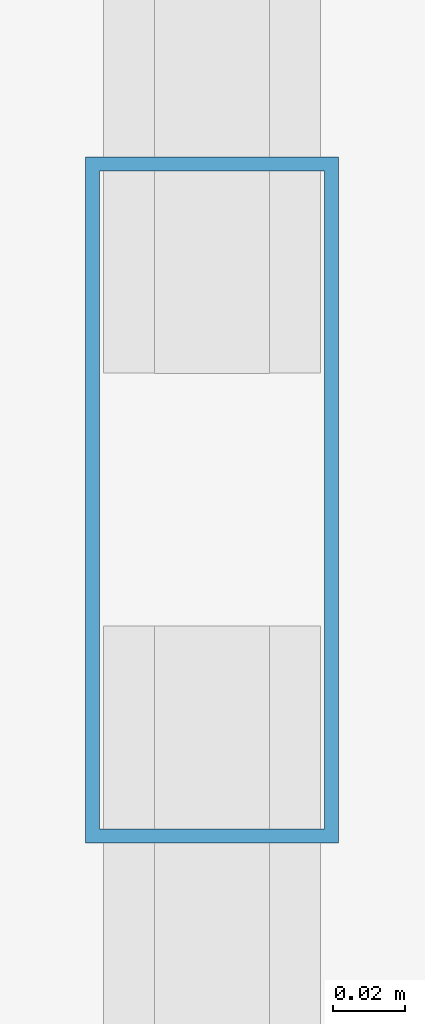
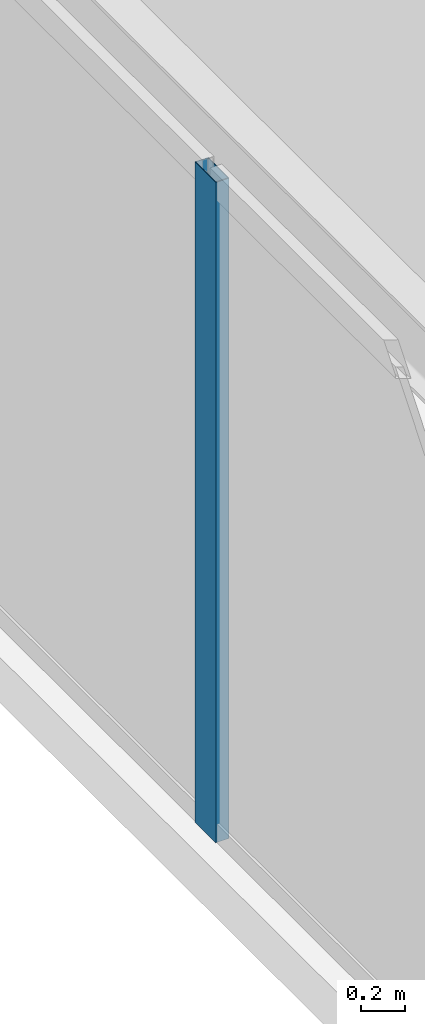
# One storey, part 10 of 34: 1 member, 1 element without a shape of its own.
"""IFC4 building model written with IfcOpenShell, lengths in metres."""

import ifcopenshell
import ifcopenshell.guid

model = None  # the IFC model being written
_history = None  # IfcOwnerHistory: only IFC2X3 demands one
_inside = {}  # id of a spatial element -> (the spatial element, [elements in it])
_under = {}  # id of a project, library or spatial element -> (it, [spatial elements below it])
_declared = {}  # id of a project -> (the project, [libraries it declares])
_typed = {}  # id of a type object -> (the type object, [elements of that type])
_made_of = {}  # id of a material, layer set ... -> (it, [elements and type objects made of it])


def new_model(schema):
    """Start an empty IFC model of exactly this schema.

    Asked for "IFC4X3", IfcOpenShell would pick the latest addendum, in which some entities
    have other attributes; the version numbers below select the first issue.
    IFC2X3 requires an IfcOwnerHistory on every rooted entity: one is made here for all.
    """
    global model, _history
    if schema == "IFC4X3":
        model = ifcopenshell.file(schema_version=(4, 3, 0, 0))
    else:
        model = ifcopenshell.file(schema=schema)
    _inside.clear()
    _under.clear()
    _declared.clear()
    _typed.clear()
    _made_of.clear()
    _history = None
    if model.schema == "IFC2X3":
        org = make("IfcOrganization", Name="unknown")
        user = make(
            "IfcPersonAndOrganization",
            ThePerson=make("IfcPerson", FamilyName="unknown"),
            TheOrganization=org,
        )
        app = make(
            "IfcApplication",
            ApplicationDeveloper=org,
            Version="unknown",
            ApplicationFullName="unknown",
            ApplicationIdentifier="unknown",
        )
        _history = make(
            "IfcOwnerHistory",
            OwningUser=user,
            OwningApplication=app,
            ChangeAction="ADDED",
            CreationDate=0,
        )
    return model


def make(cls, **values):
    """One entity of the class cls with the attributes given. An attribute that is None is left unset."""
    return model.create_entity(
        cls, **{name: value for name, value in values.items() if value is not None}
    )


def rooted(cls, **values):
    """An entity with a GlobalId (a new one), such as an element, a storey or a relation."""
    return make(cls, GlobalId=ifcopenshell.guid.new(), OwnerHistory=_history, **values)


def si_unit(unit_type, name, prefix=None):
    """IfcSIUnit, for example si_unit("LENGTHUNIT", "METRE", prefix="MILLI")."""
    return make("IfcSIUnit", UnitType=unit_type, Prefix=prefix, Name=name)


def assignment(units):
    """IfcUnitAssignment: the units of a project."""
    return None if units is None else make("IfcUnitAssignment", Units=units)


def point(xyz):
    """IfcCartesianPoint."""
    return None if xyz is None else make("IfcCartesianPoint", Coordinates=xyz)


def direction(xyz):
    """IfcDirection."""
    return None if xyz is None else make("IfcDirection", DirectionRatios=xyz)


def frame(location, z_axis=None, x_axis=None):
    """IfcAxis2Placement3D, a coordinate frame: its origin and axes. An axis left out is left unset."""
    return make(
        "IfcAxis2Placement3D",
        Location=point(location),
        Axis=direction(z_axis),
        RefDirection=direction(x_axis),
    )


def frame_2d(location, x_axis=None):
    """IfcAxis2Placement2D, a coordinate frame in the plane: its origin and x axis."""
    return make(
        "IfcAxis2Placement2D", Location=point(location), RefDirection=direction(x_axis)
    )


def origin():
    """The frame at (0, 0, 0) with its axes left unset."""
    return frame((0.0, 0.0, 0.0))


def origin_2d():
    """The frame at (0, 0) in the plane with its x axis left unset."""
    return frame_2d((0.0, 0.0))


def place(relative_to, where):
    """IfcLocalPlacement: puts the frame where relative to a parent placement (None: the world)."""
    return make(
        "IfcLocalPlacement", PlacementRelTo=relative_to, RelativePlacement=where
    )


def context(
    kind, dimensions, precision=None, world=None, true_north=None, identifier=None
):
    """IfcGeometricRepresentationContext, for example the 3D "Model" context."""
    return make(
        "IfcGeometricRepresentationContext",
        ContextIdentifier=identifier,
        ContextType=kind,
        CoordinateSpaceDimension=dimensions,
        Precision=precision,
        WorldCoordinateSystem=world,
        TrueNorth=true_north,
    )


def subcontext(parent, identifier, kind, view, scale=None):
    """IfcGeometricRepresentationSubContext, for example "Body" below "Model"."""
    return make(
        "IfcGeometricRepresentationSubContext",
        ContextIdentifier=identifier,
        ContextType=kind,
        ParentContext=parent,
        TargetScale=scale,
        TargetView=view,
    )


def project(units=None, contexts=None):
    """IfcProject with its units and contexts."""
    return rooted(
        "IfcProject",
        Name="project",
        RepresentationContexts=contexts,
        UnitsInContext=assignment(units),
    )


def spatial(cls, under=None, at=None, **own):
    """A site, building, storey or space (cls), placed at a placement, below another one or the project."""
    s = rooted(cls, ObjectPlacement=at, **own)
    if under is not None:
        _under.setdefault(under.id(), (under, []))[1].append(s)
    return s


def profile(cls, at=None, kind="AREA", **sizes):
    """A parametric profile (cls). Its sizes go by their IFC names, for example OverallWidth=200.0."""
    return make(cls, ProfileType=kind, Position=at, **sizes)


def hollow_rectangle(**sizes):
    """IfcRectangleHollowProfileDef."""
    return profile("IfcRectangleHollowProfileDef", **sizes)


def extrude(swept, where, along, depth):
    """IfcExtrudedAreaSolid: the profile swept, set in the frame where, extruded along a direction by depth."""
    return make(
        "IfcExtrudedAreaSolid",
        SweptArea=swept,
        Position=where,
        ExtrudedDirection=direction(along),
        Depth=depth,
    )


def shape(context_of_items, identifier, shape_type, items):
    """IfcShapeRepresentation: the items that make up one representation, for example the "Body"."""
    return make(
        "IfcShapeRepresentation",
        ContextOfItems=context_of_items,
        RepresentationIdentifier=identifier,
        RepresentationType=shape_type,
        Items=items,
    )


def source(mapping_origin, context_of_items, identifier, shape_type, items):
    """IfcRepresentationMap: a shape defined once, which mapped items show again and again."""
    return make(
        "IfcRepresentationMap",
        MappingOrigin=mapping_origin,
        MappedRepresentation=shape(context_of_items, identifier, shape_type, items),
    )


def transform(
    local_origin,
    x_axis=None,
    y_axis=None,
    z_axis=None,
    scale=None,
    scale2=None,
    scale3=None,
    uniform=True,
):
    """IfcCartesianTransformationOperator3D, or its non-uniform kind. x_axis, y_axis, z_axis: its Axis1, 2, 3."""
    if uniform:
        return make(
            "IfcCartesianTransformationOperator3D",
            Axis1=direction(x_axis),
            Axis2=direction(y_axis),
            LocalOrigin=point(local_origin),
            Scale=scale,
            Axis3=direction(z_axis),
        )
    return make(
        "IfcCartesianTransformationOperator3DnonUniform",
        Axis1=direction(x_axis),
        Axis2=direction(y_axis),
        LocalOrigin=point(local_origin),
        Scale=scale,
        Axis3=direction(z_axis),
        Scale2=scale2,
        Scale3=scale3,
    )


def mapped(mapping_source, mapping_target):
    """IfcMappedItem: shows the shape of a source again, moved by a transform."""
    return make(
        "IfcMappedItem", MappingSource=mapping_source, MappingTarget=mapping_target
    )


def material(Name=None, Category=None):
    """IfcMaterial."""
    return make("IfcMaterial", Name=Name, Category=Category)


def layer(
    of_material, thickness, ventilated=None, Name=None, Category=None, Priority=None
):
    """IfcMaterialLayer: one layer of a wall or slab, of a material (None: an air gap)."""
    return make(
        "IfcMaterialLayer",
        Material=of_material,
        LayerThickness=thickness,
        IsVentilated=ventilated,
        Name=Name,
        Category=Category,
        Priority=Priority,
    )


def layer_set(layers, Name=None):
    """IfcMaterialLayerSet."""
    return make("IfcMaterialLayerSet", MaterialLayers=layers, LayerSetName=Name)


def material_profile(
    of_material, cross_section, Name=None, Category=None, Priority=None
):
    """IfcMaterialProfile: a cross section and its material."""
    return make(
        "IfcMaterialProfile",
        Name=Name,
        Material=of_material,
        Profile=cross_section,
        Priority=Priority,
        Category=Category,
    )


def profile_set(profiles, Name=None, composite=None):
    """IfcMaterialProfileSet."""
    return make(
        "IfcMaterialProfileSet",
        Name=Name,
        MaterialProfiles=profiles,
        CompositeProfile=composite,
    )


def made_of(thing, what):
    """Note that an element or type object is made of a material, layer set ...; save() writes the relation."""
    if what is not None:
        _made_of.setdefault(what.id(), (what, []))[1].append(thing)
    return thing


def type_object(cls, material=None, **own):
    """A type object (cls), such as IfcWallType, which elements share."""
    return made_of(rooted(cls, **own), material)


def type_shapes(of_type, sources):
    """Give a type object the sources (RepresentationMaps) that its elements show as mapped items."""
    of_type.RepresentationMaps = sources


def element(
    cls,
    number,
    at=None,
    inside=None,
    cuts=None,
    type_object=None,
    material=None,
    context=None,
    identifier="Body",
    shape_type=None,
    held_by="IfcProductDefinitionShape",
    body=None,
    shapes=None,
    **own,
):
    """One element of the class cls, such as IfcWall. Its Tag is "e" and its number.

    at: its placement. inside: the storey or other place that contains it. cuts: it is an
    opening in that element (IfcRelVoidsElement). A single representation is given by context,
    identifier, shape_type and body (its items); several are given by shapes. held_by: the class
    of the entity that holds the representations. save() writes the other relations.
    """
    e = rooted(cls, Tag="e%d" % number, ObjectPlacement=at, **own)
    if body is not None:
        shapes = [shape(context, identifier, shape_type, body)]
    if shapes is not None:
        e.Representation = make(held_by, Representations=shapes)
    if inside is not None:
        _inside.setdefault(inside.id(), (inside, []))[1].append(e)
    if cuts is not None:
        rooted(
            "IfcRelVoidsElement", RelatingBuildingElement=cuts, RelatedOpeningElement=e
        )
    if type_object is not None:
        _typed.setdefault(type_object.id(), (type_object, []))[1].append(e)
    return made_of(e, material)


def aggregate(whole, parts):
    """IfcRelAggregates: a whole, such as a stair, and the parts it consists of."""
    return rooted("IfcRelAggregates", RelatingObject=whole, RelatedObjects=parts)


def save(model, path):
    """Write the relations noted so far, then the file.

    IfcRelAggregates (storeys below a building ...), IfcRelContainedInSpatialStructure (elements
    in a storey), IfcRelDefinesByType, IfcRelAssociatesMaterial and IfcRelDeclares: one each for
    every whole, place, type object, material and project.
    """
    for whole, parts in _under.values():
        aggregate(whole, parts)
    for where, things in _inside.values():
        rooted(
            "IfcRelContainedInSpatialStructure",
            RelatedElements=things,
            RelatingStructure=where,
        )
    for kind, things in _typed.values():
        rooted("IfcRelDefinesByType", RelatedObjects=things, RelatingType=kind)
    for what, things in _made_of.values():
        rooted("IfcRelAssociatesMaterial", RelatedObjects=things, RelatingMaterial=what)
    for by, libraries in _declared.values():
        rooted("IfcRelDeclares", RelatingContext=by, RelatedDefinitions=libraries)
    model.write(path)


model = new_model("IFC4")

# Units and contexts
model_context = context("Model", 3, precision=1e-05, world=origin(), true_north=direction((0.0, 1.0)))
body_context = subcontext(model_context, "Body", "Model", "MODEL_VIEW")
ifc_project = project(units=[si_unit("LENGTHUNIT", "METRE"), si_unit("AREAUNIT", "SQUARE_METRE"), si_unit("VOLUMEUNIT", "CUBIC_METRE"), si_unit("PLANEANGLEUNIT", "RADIAN"), si_unit("MASSUNIT", "GRAM", prefix="KILO")], contexts=[model_context])

# Site, building, storey
site_placement = place(None, origin())
site = spatial("IfcSite", under=ifc_project, at=site_placement, CompositionType="ELEMENT")
building_placement = place(site_placement, origin())
building = spatial("IfcBuilding", under=site, at=building_placement, Name="Varnel Quay Broadcast Tower", CompositionType="ELEMENT")
storey_placement = place(building_placement, frame((0.0, 0.0, 47.10009765625)))
storey = spatial("IfcBuildingStorey", under=building, at=storey_placement, Name="L10", CompositionType="ELEMENT", Elevation=47.10009765625)

# Curtain wall, member
ifc_material = material(Name="Anodised Bronze Aluminium 6063-T6", Category="aluminium")
ifc_layer = layer(ifc_material, 0.18994140625, Name="Anodised Bronze Aluminium 6063-T6")
ifc_layer_set = layer_set([ifc_layer], Name="Anodised Bronze Aluminium 6063-T6")
curtain_wall_type = type_object("IfcCurtainWallType", Name="CW_LowerTower", PredefinedType="NOTDEFINED", material=ifc_layer_set)
curtain_wall_placement = place(storey_placement, origin())
curtain_wall = element("IfcCurtainWall", 1, at=curtain_wall_placement, inside=storey, type_object=curtain_wall_type, Name="L10 West Unitised Curtain Wall", PredefinedType="NOTDEFINED")
ifc_material_profile = material_profile(ifc_material, hollow_rectangle(XDim=0.070068359375, YDim=0.18994140625, WallThickness=0.00390625, at=origin_2d()), Name="ALU70X190X4")
ifc_profile_set = profile_set([ifc_material_profile], Name="Anodised Bronze Aluminium 6063-T6")
member_type = type_object("IfcMemberType", Name="Mull_CWS-02", PredefinedType="MULLION", material=ifc_profile_set)
shared_shape = source(origin(), body_context, "Body", "SweptSolid", [
    extrude(hollow_rectangle(XDim=0.070068359375, YDim=0.18994140625, WallThickness=0.00390625, at=origin_2d()), origin(), (0.0, 0.0, 1.0), 3.64990234375),
])
type_shapes(member_type, [shared_shape])
member_placement = place(storey_placement, frame((2.14990234375, 30.39990234375, 0.0), z_axis=(0.0, 0.0, 1.0), x_axis=(-1.0, 0.0, 0.0)))
member = element("IfcMember", 2, at=member_placement, type_object=member_type, Name="CWS-02 mullion 3", PredefinedType="MULLION", context=body_context, shape_type="MappedRepresentation", body=[
    mapped(shared_shape, transform((0.0, 0.0, 0.0), x_axis=(1.0, 0.0, 0.0), y_axis=(0.0, 1.0, 0.0), z_axis=(0.0, 0.0, 1.0), scale=1.0)),
])
aggregate(curtain_wall, [member])

save(model, "model.ifc")
